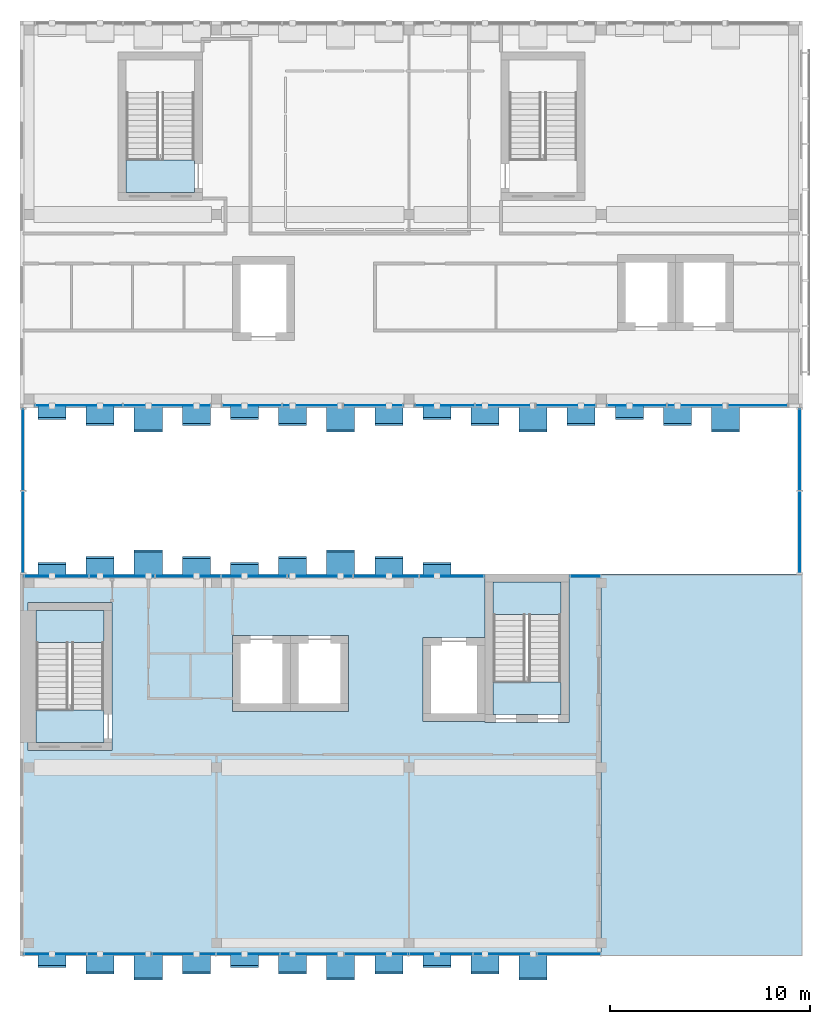
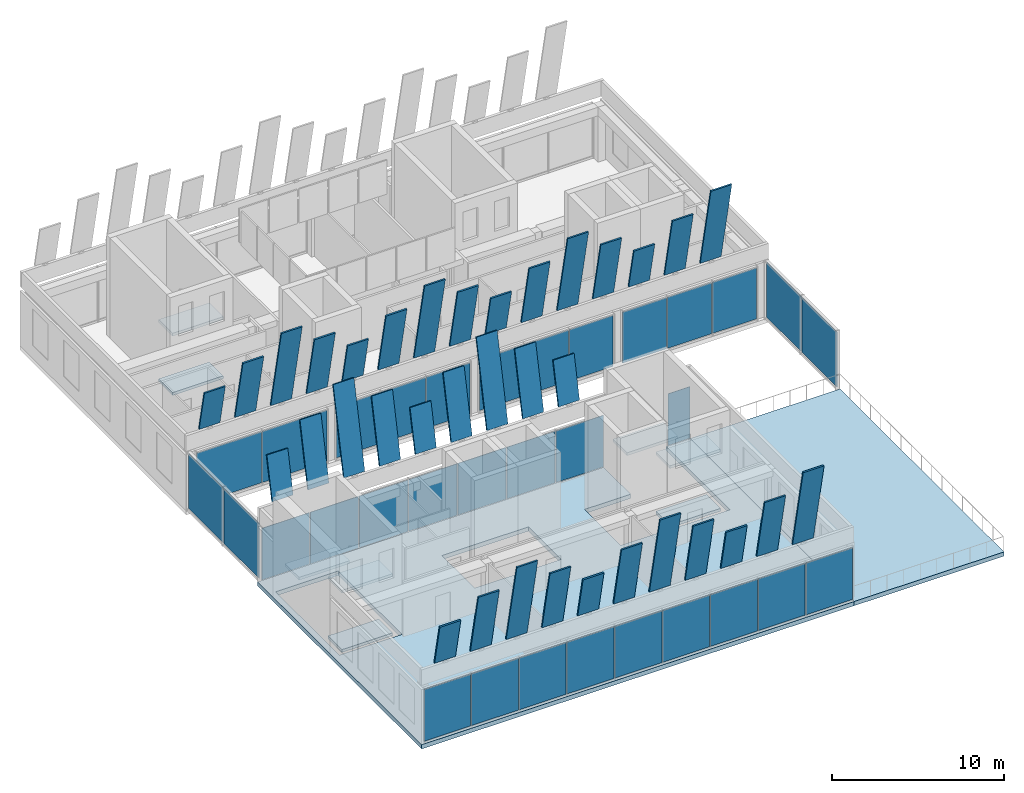
# One storey, part 15 of 26: 67 plates, 10 slabs, 12 elements without a shape of their own.
"""IFC4 building model written with IfcOpenShell, lengths in metres."""

from ifc_helpers import new_model, si_unit, direction, frame, origin, origin_2d, place, context, subcontext, project, spatial, polyline, rectangle, outline, extrude, material, layer, layer_set, material_profile, profile_set, type_object, element, aggregate, save


model = new_model("IFC4")

# Units and contexts
model_context = context("Model", 3, precision=1e-05, world=origin(), true_north=direction((0.0, 1.0)))
body_context = subcontext(model_context, "Body", "Model", "MODEL_VIEW")
ifc_project = project(units=[si_unit("LENGTHUNIT", "METRE"), si_unit("AREAUNIT", "SQUARE_METRE"), si_unit("VOLUMEUNIT", "CUBIC_METRE"), si_unit("PLANEANGLEUNIT", "RADIAN"), si_unit("MASSUNIT", "GRAM", prefix="KILO")], contexts=[model_context])

# Site, building, storey
site_placement = place(None, origin())
site = spatial("IfcSite", under=ifc_project, at=site_placement, CompositionType="ELEMENT")
building_placement = place(site_placement, origin())
building = spatial("IfcBuilding", under=site, at=building_placement, Name="Nzadi Deep Aquarium and Research Tower", CompositionType="ELEMENT")
storey_placement = place(building_placement, frame((0.0, 0.0, 78.10009765625)))
storey = spatial("IfcBuildingStorey", under=building, at=storey_placement, Name="L16", CompositionType="ELEMENT", Elevation=78.10009765625)

# Plates
ifc_material_1 = material(Name="Anodised aluminium, bright", Category="aluminium")
ifc_material_profile_1 = material_profile(ifc_material_1, rectangle(XDim=1.39990234375, YDim=0.10009765625, at=origin_2d()))
ifc_profile_set_1 = profile_set([ifc_material_profile_1], Name="Anodised aluminium, bright")
plate_type_1 = type_object("IfcPlateType", Name="Crown fin anodised aluminium 1400x100, 3.0 m", PredefinedType="SHEET", material=ifc_profile_set_1)
for number, where, z_axis, x_axis, name in (
    (1, (1.39990234375, -0.10009765625, 5.430419921875), (0.0, -0.207855835762, 0.978159471426), (1.0, 0.0, 0.0), "Crown fin AS 1"),
    (2, (11.0, -0.10009765625, 5.430419921875), (0.0, -0.207855835762, 0.978159471426), (1.0, 0.0, 0.0), "Crown fin AS 5"),
    (3, (20.60009765625, -0.10009765625, 5.430419921875), (0.0, -0.207855835762, 0.978159471426), (1.0, 0.0, 0.0), "Crown fin AS 9"),
):
    element("IfcPlate", number, at=place(storey_placement, frame(where, z_axis=z_axis, x_axis=x_axis)), inside=storey, type_object=plate_type_1, Name=name, PredefinedType="SHEET", context=body_context, shape_type="SweptSolid", body=[
        extrude(rectangle(XDim=1.39990234375, YDim=0.10009765625, at=origin_2d()), origin(), (0.0, 0.0, 1.0), 2.999755859375),
    ])
for number, where, z_axis, x_axis, name in (
    (4, (1.39990234375, 18.75, 5.430419921875), (0.0, 0.207933702079, 0.978142921837), (-1.0, 0.0, 0.0), "Crown fin AN 1"),
    (5, (11.0, 18.75, 5.430419921875), (0.0, 0.207933702079, 0.978142921837), (-1.0, 0.0, 0.0), "Crown fin AN 5"),
    (6, (20.60009765625, 18.75, 5.430419921875), (0.0, 0.207933702079, 0.978142921837), (-1.0, 0.0, 0.0), "Crown fin AN 9"),
    (7, (1.39990234375, 27.25, 5.430419921875), (0.0, -0.207933702079, 0.978142921837), (1.0, 0.0, 0.0), "Crown fin BS 1"),
    (8, (11.0, 27.25, 5.430419921875), (0.0, -0.207933702079, 0.978142921837), (1.0, 0.0, 0.0), "Crown fin BS 5"),
    (9, (20.60009765625, 27.25, 5.430419921875), (0.0, -0.207933702079, 0.978142921837), (1.0, 0.0, 0.0), "Crown fin BS 9"),
    (10, (30.199951171875, 27.25, 5.430419921875), (0.0, -0.207933702079, 0.978142921837), (1.0, 0.0, 0.0), "Crown fin BS 13"),
):
    element("IfcPlate", number, at=place(storey_placement, frame(where, z_axis=z_axis, x_axis=x_axis)), inside=storey, type_object=plate_type_1, Name=name, PredefinedType="SHEET", context=body_context, shape_type="SweptSolid", body=[
        extrude(rectangle(XDim=1.39990234375, YDim=0.10009765625, at=origin_2d()), origin(), (0.0, 0.0, 1.0), 3.0),
    ])
ifc_material_2 = material(Name="Anodised aluminium, bright", Category="aluminium")
ifc_material_profile_2 = material_profile(ifc_material_2, rectangle(XDim=1.39990234375, YDim=0.10009765625, at=origin_2d()))
ifc_profile_set_2 = profile_set([ifc_material_profile_2], Name="Anodised aluminium, bright")
plate_type_2 = type_object("IfcPlateType", Name="Crown fin anodised aluminium 1400x100, 4.5 m", PredefinedType="SHEET", material=ifc_profile_set_2)
for number, where, z_axis, x_axis, name in (
    (11, (3.800048828125, -0.10009765625, 5.430419921875), (0.0, -0.20790223038, 0.978149611564), (1.0, 0.0, 0.0), "Crown fin AS 2"),
    (12, (8.60009765625, -0.10009765625, 5.430419921875), (0.0, -0.20790223038, 0.978149611564), (1.0, 0.0, 0.0), "Crown fin AS 4"),
    (13, (13.39990234375, -0.10009765625, 5.430419921875), (0.0, -0.20790223038, 0.978149611564), (1.0, 0.0, 0.0), "Crown fin AS 6"),
    (14, (18.199951171875, -0.10009765625, 5.430419921875), (0.0, -0.20790223038, 0.978149611564), (1.0, 0.0, 0.0), "Crown fin AS 8"),
    (15, (23.0, -0.10009765625, 5.430419921875), (0.0, -0.20790223038, 0.978149611564), (1.0, 0.0, 0.0), "Crown fin AS 10"),
    (16, (3.800048828125, 18.75, 5.430419921875), (0.0, 0.20790223038, 0.978149611564), (-1.0, 0.0, 0.0), "Crown fin AN 2"),
    (17, (8.60009765625, 18.75, 5.430419921875), (0.0, 0.20790223038, 0.978149611564), (-1.0, 0.0, 0.0), "Crown fin AN 4"),
    (18, (13.39990234375, 18.75, 5.430419921875), (0.0, 0.20790223038, 0.978149611564), (-1.0, 0.0, 0.0), "Crown fin AN 6"),
    (19, (18.199951171875, 18.75, 5.430419921875), (0.0, 0.20790223038, 0.978149611564), (-1.0, 0.0, 0.0), "Crown fin AN 8"),
    (20, (3.800048828125, 27.25, 5.430419921875), (0.0, -0.20790223038, 0.978149611564), (1.0, 0.0, 0.0), "Crown fin BS 2"),
    (21, (8.60009765625, 27.25, 5.430419921875), (0.0, -0.20790223038, 0.978149611564), (1.0, 0.0, 0.0), "Crown fin BS 4"),
    (22, (13.39990234375, 27.25, 5.430419921875), (0.0, -0.20790223038, 0.978149611564), (1.0, 0.0, 0.0), "Crown fin BS 6"),
    (23, (18.199951171875, 27.25, 5.430419921875), (0.0, -0.20790223038, 0.978149611564), (1.0, 0.0, 0.0), "Crown fin BS 8"),
    (24, (23.0, 27.25, 5.430419921875), (0.0, -0.20790223038, 0.978149611564), (1.0, 0.0, 0.0), "Crown fin BS 10"),
    (25, (27.800048828125, 27.25, 5.430419921875), (0.0, -0.20790223038, 0.978149611564), (1.0, 0.0, 0.0), "Crown fin BS 12"),
    (26, (32.60009765625, 27.25, 5.430419921875), (0.0, -0.20790223038, 0.978149611564), (1.0, 0.0, 0.0), "Crown fin BS 14"),
):
    element("IfcPlate", number, at=place(storey_placement, frame(where, z_axis=z_axis, x_axis=x_axis)), inside=storey, type_object=plate_type_2, Name=name, PredefinedType="SHEET", context=body_context, shape_type="SweptSolid", body=[
        extrude(rectangle(XDim=1.39990234375, YDim=0.10009765625, at=origin_2d()), origin(), (0.0, 0.0, 1.0), 4.5),
    ])
ifc_material_3 = material(Name="Anodised aluminium, bright", Category="aluminium")
ifc_material_profile_3 = material_profile(ifc_material_3, rectangle(XDim=1.39990234375, YDim=0.10009765625, at=origin_2d()))
ifc_profile_set_3 = profile_set([ifc_material_profile_3], Name="Anodised aluminium, bright")
plate_type_3 = type_object("IfcPlateType", Name="Crown fin anodised aluminium 1400x100, 6.0 m", PredefinedType="SHEET", material=ifc_profile_set_3)
for number, where, z_axis, x_axis, name in (
    (27, (6.199951171875, -0.10009765625, 5.430419921875), (0.0, -0.207886494942, 0.978152955943), (1.0, 0.0, 0.0), "Crown fin AS 3"),
    (28, (15.800048828125, -0.10009765625, 5.430419921875), (0.0, -0.207886494942, 0.978152955943), (1.0, 0.0, 0.0), "Crown fin AS 7"),
    (29, (25.39990234375, -0.10009765625, 5.430419921875), (0.0, -0.207886494942, 0.978152955943), (1.0, 0.0, 0.0), "Crown fin AS 11"),
    (30, (6.199951171875, 18.75, 5.430419921875), (0.0, 0.207925426197, 0.978144681088), (-1.0, 0.0, 0.0), "Crown fin AN 3"),
    (31, (15.800048828125, 18.75, 5.430419921875), (0.0, 0.207925426197, 0.978144681088), (-1.0, 0.0, 0.0), "Crown fin AN 7"),
    (32, (6.199951171875, 27.25, 5.430419921875), (0.0, -0.207925426197, 0.978144681088), (1.0, 0.0, 0.0), "Crown fin BS 3"),
    (33, (15.800048828125, 27.25, 5.430419921875), (0.0, -0.207925426197, 0.978144681088), (1.0, 0.0, 0.0), "Crown fin BS 7"),
    (34, (25.39990234375, 27.25, 5.430419921875), (0.0, -0.207925426197, 0.978144681088), (1.0, 0.0, 0.0), "Crown fin BS 11"),
    (35, (35.0, 27.25, 5.430419921875), (0.0, -0.207925426197, 0.978144681088), (1.0, 0.0, 0.0), "Crown fin BS 15"),
):
    element("IfcPlate", number, at=place(storey_placement, frame(where, z_axis=z_axis, x_axis=x_axis)), inside=storey, type_object=plate_type_3, Name=name, PredefinedType="SHEET", context=body_context, shape_type="SweptSolid", body=[
        extrude(rectangle(XDim=1.39990234375, YDim=0.10009765625, at=origin_2d()), origin(), (0.0, 0.0, 1.0), 6.0),
    ])

# Curtain wall, plates
ifc_material_4 = material(Name="Aluminium unitised frame", Category="aluminium")
ifc_layer_1 = layer(ifc_material_4, 0.199951171875)
ifc_layer_set_1 = layer_set([ifc_layer_1], Name="Aluminium unitised frame")
curtain_wall_type_1 = type_object("IfcCurtainWallType", Name="Curtain wall Unitised 200", PredefinedType="NOTDEFINED", material=ifc_layer_set_1)
curtain_wall_1_placement = place(storey_placement, origin())
curtain_wall_1 = element("IfcCurtainWall", 36, at=curtain_wall_1_placement, inside=storey, type_object=curtain_wall_type_1, Name="Unitised curtain wall blade A south L16", PredefinedType="NOTDEFINED")
ifc_material_5 = material(Name="Glass, sage tint", Category="glass")
ifc_layer_2 = layer(ifc_material_5, 0.035888671875)
ifc_layer_set_2 = layer_set([ifc_layer_2], Name="Glass, sage tint")
plate_type_4 = type_object("IfcPlateType", Name="Glazing panel 36 Unitised", PredefinedType="CURTAIN_PANEL", material=ifc_layer_set_2)
plate_1_placement = place(storey_placement, frame((1.56787109375, -0.10009765625, 0.1201171875), z_axis=(0.0, 0.0, 1.0), x_axis=(1.0, 0.0, 0.0)))
plate_1 = element("IfcPlate", 37, at=plate_1_placement, type_object=plate_type_4, Name="CW075 panel 1.1", PredefinedType="CURTAIN_PANEL", context=body_context, shape_type="SweptSolid", body=[
    extrude(rectangle(XDim=3.115478515625, YDim=0.035888671875, at=origin_2d()), origin(), (0.0, 0.0, 1.0), 3.659912109375),
])
plate_2_placement = place(storey_placement, frame((4.75830078125, -0.10009765625, 0.1201171875), z_axis=(0.0, 0.0, 1.0), x_axis=(1.0, 0.0, 0.0)))
plate_2 = element("IfcPlate", 38, at=plate_2_placement, type_object=plate_type_4, Name="CW075 panel 2.1", PredefinedType="CURTAIN_PANEL", context=body_context, shape_type="SweptSolid", body=[
    extrude(rectangle(XDim=3.1455078125, YDim=0.035888671875, at=origin_2d()), origin(), (0.0, 0.0, 1.0), 3.659912109375),
])
plate_3_placement = place(storey_placement, frame((7.9638671875, -0.10009765625, 0.1201171875), z_axis=(0.0, 0.0, 1.0), x_axis=(1.0, 0.0, 0.0)))
plate_3 = element("IfcPlate", 39, at=plate_3_placement, type_object=plate_type_4, Name="CW075 panel 3.1", PredefinedType="CURTAIN_PANEL", context=body_context, shape_type="SweptSolid", body=[
    extrude(rectangle(XDim=3.1455078125, YDim=0.035888671875, at=origin_2d()), origin(), (0.0, 0.0, 1.0), 3.659912109375),
])
plate_4_placement = place(storey_placement, frame((11.16943359375, -0.10009765625, 0.1201171875), z_axis=(0.0, 0.0, 1.0), x_axis=(1.0, 0.0, 0.0)))
plate_4 = element("IfcPlate", 40, at=plate_4_placement, type_object=plate_type_4, Name="CW075 panel 4.1", PredefinedType="CURTAIN_PANEL", context=body_context, shape_type="SweptSolid", body=[
    extrude(rectangle(XDim=3.1455078125, YDim=0.035888671875, at=origin_2d()), origin(), (0.0, 0.0, 1.0), 3.659912109375),
])
plate_5_placement = place(storey_placement, frame((14.375, -0.10009765625, 0.1201171875), z_axis=(0.0, 0.0, 1.0), x_axis=(1.0, 0.0, 0.0)))
plate_5 = element("IfcPlate", 41, at=plate_5_placement, type_object=plate_type_4, Name="CW075 panel 5.1", PredefinedType="CURTAIN_PANEL", context=body_context, shape_type="SweptSolid", body=[
    extrude(rectangle(XDim=3.1455078125, YDim=0.035888671875, at=origin_2d()), origin(), (0.0, 0.0, 1.0), 3.659912109375),
])
plate_6_placement = place(storey_placement, frame((17.58056640625, -0.10009765625, 0.1201171875), z_axis=(0.0, 0.0, 1.0), x_axis=(1.0, 0.0, 0.0)))
plate_6 = element("IfcPlate", 42, at=plate_6_placement, type_object=plate_type_4, Name="CW075 panel 6.1", PredefinedType="CURTAIN_PANEL", context=body_context, shape_type="SweptSolid", body=[
    extrude(rectangle(XDim=3.1455078125, YDim=0.035888671875, at=origin_2d()), origin(), (0.0, 0.0, 1.0), 3.659912109375),
])
plate_7_placement = place(storey_placement, frame((20.7861328125, -0.10009765625, 0.1201171875), z_axis=(0.0, 0.0, 1.0), x_axis=(1.0, 0.0, 0.0)))
plate_7 = element("IfcPlate", 43, at=plate_7_placement, type_object=plate_type_4, Name="CW075 panel 7.1", PredefinedType="CURTAIN_PANEL", context=body_context, shape_type="SweptSolid", body=[
    extrude(rectangle(XDim=3.1455078125, YDim=0.035888671875, at=origin_2d()), origin(), (0.0, 0.0, 1.0), 3.659912109375),
])
plate_8_placement = place(storey_placement, frame((23.99169921875, -0.10009765625, 0.1201171875), z_axis=(0.0, 0.0, 1.0), x_axis=(1.0, 0.0, 0.0)))
plate_8 = element("IfcPlate", 44, at=plate_8_placement, type_object=plate_type_4, Name="CW075 panel 8.1", PredefinedType="CURTAIN_PANEL", context=body_context, shape_type="SweptSolid", body=[
    extrude(rectangle(XDim=3.1455078125, YDim=0.035888671875, at=origin_2d()), origin(), (0.0, 0.0, 1.0), 3.659912109375),
])
plate_9_placement = place(storey_placement, frame((27.18212890625, -0.10009765625, 0.1201171875), z_axis=(0.0, 0.0, 1.0), x_axis=(1.0, 0.0, 0.0)))
plate_9 = element("IfcPlate", 45, at=plate_9_placement, type_object=plate_type_4, Name="CW075 panel 9.1", PredefinedType="CURTAIN_PANEL", context=body_context, shape_type="SweptSolid", body=[
    extrude(rectangle(XDim=3.115478515625, YDim=0.035888671875, at=origin_2d()), origin(), (0.0, 0.0, 1.0), 3.659912109375),
])
aggregate(curtain_wall_1, [plate_1, plate_2, plate_3, plate_4, plate_5, plate_6, plate_7, plate_8, plate_9])

curtain_wall_2_placement = place(storey_placement, origin())
curtain_wall_2 = element("IfcCurtainWall", 46, at=curtain_wall_2_placement, inside=storey, type_object=curtain_wall_type_1, Name="Unitised curtain wall blade A north L16", PredefinedType="NOTDEFINED")
plate_10_placement = place(storey_placement, frame((1.611328125, 18.75, 0.1201171875), z_axis=(0.0, 0.0, 1.0), x_axis=(1.0, 0.0, 0.0)))
plate_10 = element("IfcPlate", 47, at=plate_10_placement, type_object=plate_type_4, Name="CW076 panel 1.1", PredefinedType="CURTAIN_PANEL", context=body_context, shape_type="SweptSolid", body=[
    extrude(rectangle(XDim=3.202880859375, YDim=0.035888671875, at=origin_2d()), origin(), (0.0, 0.0, 1.0), 3.659912109375),
])
plate_11_placement = place(storey_placement, frame((4.889404296875, 18.75, 0.1201171875), z_axis=(0.0, 0.0, 1.0), x_axis=(1.0, 0.0, 0.0)))
plate_11 = element("IfcPlate", 48, at=plate_11_placement, type_object=plate_type_4, Name="CW076 panel 2.1", PredefinedType="CURTAIN_PANEL", context=body_context, shape_type="SweptSolid", body=[
    extrude(rectangle(XDim=3.23291015625, YDim=0.035888671875, at=origin_2d()), origin(), (0.0, 0.0, 1.0), 3.659912109375),
])
plate_12_placement = place(storey_placement, frame((8.18212890625, 18.75, 0.1201171875), z_axis=(0.0, 0.0, 1.0), x_axis=(1.0, 0.0, 0.0)))
plate_12 = element("IfcPlate", 49, at=plate_12_placement, type_object=plate_type_4, Name="CW076 panel 3.1", PredefinedType="CURTAIN_PANEL", context=body_context, shape_type="SweptSolid", body=[
    extrude(rectangle(XDim=3.23291015625, YDim=0.035888671875, at=origin_2d()), origin(), (0.0, 0.0, 1.0), 3.659912109375),
])
plate_13_placement = place(storey_placement, frame((11.47509765625, 18.75, 0.1201171875), z_axis=(0.0, 0.0, 1.0), x_axis=(1.0, 0.0, 0.0)))
plate_13 = element("IfcPlate", 50, at=plate_13_placement, type_object=plate_type_4, Name="CW076 panel 4.1", PredefinedType="CURTAIN_PANEL", context=body_context, shape_type="SweptSolid", body=[
    extrude(rectangle(XDim=3.23291015625, YDim=0.035888671875, at=origin_2d()), origin(), (0.0, 0.0, 1.0), 3.659912109375),
])
plate_14_placement = place(storey_placement, frame((14.767822265625, 18.75, 0.1201171875), z_axis=(0.0, 0.0, 1.0), x_axis=(1.0, 0.0, 0.0)))
plate_14 = element("IfcPlate", 51, at=plate_14_placement, type_object=plate_type_4, Name="CW076 panel 5.1", PredefinedType="CURTAIN_PANEL", context=body_context, shape_type="SweptSolid", body=[
    extrude(rectangle(XDim=3.23291015625, YDim=0.035888671875, at=origin_2d()), origin(), (0.0, 0.0, 1.0), 3.659912109375),
])
plate_15_placement = place(storey_placement, frame((18.060791015625, 18.75, 0.1201171875), z_axis=(0.0, 0.0, 1.0), x_axis=(1.0, 0.0, 0.0)))
plate_15 = element("IfcPlate", 52, at=plate_15_placement, type_object=plate_type_4, Name="CW076 panel 6.1", PredefinedType="CURTAIN_PANEL", context=body_context, shape_type="SweptSolid", body=[
    extrude(rectangle(XDim=3.23291015625, YDim=0.035888671875, at=origin_2d()), origin(), (0.0, 0.0, 1.0), 3.659912109375),
])
plate_16_placement = place(storey_placement, frame((21.338623046875, 18.75, 0.1201171875), z_axis=(0.0, 0.0, 1.0), x_axis=(1.0, 0.0, 0.0)))
plate_16 = element("IfcPlate", 53, at=plate_16_placement, type_object=plate_type_4, Name="CW076 panel 7.1", PredefinedType="CURTAIN_PANEL", context=body_context, shape_type="SweptSolid", body=[
    extrude(rectangle(XDim=3.202880859375, YDim=0.035888671875, at=origin_2d()), origin(), (0.0, 0.0, 1.0), 3.659912109375),
])
aggregate(curtain_wall_2, [plate_10, plate_11, plate_12, plate_13, plate_14, plate_15, plate_16])

# Curtain wall, plate
curtain_wall_3_placement = place(storey_placement, origin())
curtain_wall_3 = element("IfcCurtainWall", 54, at=curtain_wall_3_placement, inside=storey, type_object=curtain_wall_type_1, Name="Unitised curtain wall blade A north L16", PredefinedType="NOTDEFINED")
plate_17_placement = place(storey_placement, frame((28.0, 18.75, 0.1201171875), z_axis=(0.0, 0.0, 1.0), x_axis=(1.0, 0.0, 0.0)))
plate_17 = element("IfcPlate", 55, at=plate_17_placement, type_object=plate_type_4, Name="CW077 panel 1.1", PredefinedType="CURTAIN_PANEL", context=body_context, shape_type="SweptSolid", body=[
    extrude(rectangle(XDim=1.47998046875, YDim=0.035888671875, at=origin_2d()), origin(), (0.0, 0.0, 1.0), 3.659912109375),
])
aggregate(curtain_wall_3, [plate_17])

# Curtain wall, plates
ifc_material_6 = material(Name="Aluminium unitised frame deep", Category="aluminium")
ifc_layer_3 = layer(ifc_material_6, 0.22509765625)
ifc_layer_set_3 = layer_set([ifc_layer_3], Name="Aluminium unitised frame deep")
curtain_wall_type_2 = type_object("IfcCurtainWallType", Name="Curtain wall Unitised Deep 225", PredefinedType="NOTDEFINED", material=ifc_layer_set_3)
curtain_wall_4_placement = place(storey_placement, origin())
curtain_wall_4 = element("IfcCurtainWall", 56, at=curtain_wall_4_placement, inside=storey, type_object=curtain_wall_type_2, Name="Unitised curtain wall blade B south L16", PredefinedType="NOTDEFINED")
ifc_material_7 = material(Name="Glass, sage tint", Category="glass")
ifc_layer_4 = layer(ifc_material_7, 0.0400390625)
ifc_layer_set_4 = layer_set([ifc_layer_4], Name="Glass, sage tint")
plate_type_5 = type_object("IfcPlateType", Name="Glazing panel 40 Unitised Deep", PredefinedType="CURTAIN_PANEL", material=ifc_layer_set_4)
plate_18_placement = place(storey_placement, frame((2.7275390625, 27.262451171875, 0.139892578125), z_axis=(0.0, 0.0, 1.0), x_axis=(1.0, 0.0, 0.0)))
plate_18 = element("IfcPlate", 57, at=plate_18_placement, type_object=plate_type_5, Name="CW192 panel 1.1", PredefinedType="CURTAIN_PANEL", context=body_context, shape_type="SweptSolid", body=[
    extrude(rectangle(XDim=4.3349609375, YDim=0.0400390625, at=origin_2d()), origin(), (0.0, 0.0, 1.0), 3.6201171875),
])
plate_19_placement = place(storey_placement, frame((7.12255859375, 27.262451171875, 0.139892578125), z_axis=(0.0, 0.0, 1.0), x_axis=(1.0, 0.0, 0.0)))
plate_19 = element("IfcPlate", 58, at=plate_19_placement, type_object=plate_type_5, Name="CW192 panel 2.1", PredefinedType="CURTAIN_PANEL", context=body_context, shape_type="SweptSolid", body=[
    extrude(rectangle(XDim=4.3349609375, YDim=0.0400390625, at=origin_2d()), origin(), (0.0, 0.0, 1.0), 3.6201171875),
])
aggregate(curtain_wall_4, [plate_18, plate_19])

curtain_wall_5_placement = place(storey_placement, origin())
curtain_wall_5 = element("IfcCurtainWall", 59, at=curtain_wall_5_placement, inside=storey, type_object=curtain_wall_type_2, Name="Unitised curtain wall blade B south L16", PredefinedType="NOTDEFINED")
plate_20_placement = place(storey_placement, frame((11.381591796875, 27.262451171875, 0.139892578125), z_axis=(0.0, 0.0, 1.0), x_axis=(1.0, 0.0, 0.0)))
plate_20 = element("IfcPlate", 60, at=plate_20_placement, type_object=plate_type_5, Name="CW193 panel 1.1", PredefinedType="CURTAIN_PANEL", context=body_context, shape_type="SweptSolid", body=[
    extrude(rectangle(XDim=2.943359375, YDim=0.0400390625, at=origin_2d()), origin(), (0.0, 0.0, 1.0), 3.6201171875),
])
plate_21_placement = place(storey_placement, frame((14.39990234375, 27.262451171875, 0.139892578125), z_axis=(0.0, 0.0, 1.0), x_axis=(1.0, 0.0, 0.0)))
plate_21 = element("IfcPlate", 61, at=plate_21_placement, type_object=plate_type_5, Name="CW193 panel 2.1", PredefinedType="CURTAIN_PANEL", context=body_context, shape_type="SweptSolid", body=[
    extrude(rectangle(XDim=2.973388671875, YDim=0.0400390625, at=origin_2d()), origin(), (0.0, 0.0, 1.0), 3.6201171875),
])
plate_22_placement = place(storey_placement, frame((17.418212890625, 27.262451171875, 0.139892578125), z_axis=(0.0, 0.0, 1.0), x_axis=(1.0, 0.0, 0.0)))
plate_22 = element("IfcPlate", 62, at=plate_22_placement, type_object=plate_type_5, Name="CW193 panel 3.1", PredefinedType="CURTAIN_PANEL", context=body_context, shape_type="SweptSolid", body=[
    extrude(rectangle(XDim=2.943359375, YDim=0.0400390625, at=origin_2d()), origin(), (0.0, 0.0, 1.0), 3.6201171875),
])
aggregate(curtain_wall_5, [plate_20, plate_21, plate_22])

curtain_wall_6_placement = place(storey_placement, origin())
curtain_wall_6 = element("IfcCurtainWall", 63, at=curtain_wall_6_placement, inside=storey, type_object=curtain_wall_type_2, Name="Unitised curtain wall blade B south L16", PredefinedType="NOTDEFINED")
plate_23_placement = place(storey_placement, frame((20.981689453125, 27.262451171875, 0.139892578125), z_axis=(0.0, 0.0, 1.0), x_axis=(1.0, 0.0, 0.0)))
plate_23 = element("IfcPlate", 64, at=plate_23_placement, type_object=plate_type_5, Name="CW194 panel 1.1", PredefinedType="CURTAIN_PANEL", context=body_context, shape_type="SweptSolid", body=[
    extrude(rectangle(XDim=2.943359375, YDim=0.0400390625, at=origin_2d()), origin(), (0.0, 0.0, 1.0), 3.6201171875),
])
plate_24_placement = place(storey_placement, frame((24.0, 27.262451171875, 0.139892578125), z_axis=(0.0, 0.0, 1.0), x_axis=(1.0, 0.0, 0.0)))
plate_24 = element("IfcPlate", 65, at=plate_24_placement, type_object=plate_type_5, Name="CW194 panel 2.1", PredefinedType="CURTAIN_PANEL", context=body_context, shape_type="SweptSolid", body=[
    extrude(rectangle(XDim=2.973388671875, YDim=0.0400390625, at=origin_2d()), origin(), (0.0, 0.0, 1.0), 3.6201171875),
])
plate_25_placement = place(storey_placement, frame((27.018310546875, 27.262451171875, 0.139892578125), z_axis=(0.0, 0.0, 1.0), x_axis=(1.0, 0.0, 0.0)))
plate_25 = element("IfcPlate", 66, at=plate_25_placement, type_object=plate_type_5, Name="CW194 panel 3.1", PredefinedType="CURTAIN_PANEL", context=body_context, shape_type="SweptSolid", body=[
    extrude(rectangle(XDim=2.943359375, YDim=0.0400390625, at=origin_2d()), origin(), (0.0, 0.0, 1.0), 3.6201171875),
])
aggregate(curtain_wall_6, [plate_23, plate_24, plate_25])

curtain_wall_7_placement = place(storey_placement, origin())
curtain_wall_7 = element("IfcCurtainWall", 67, at=curtain_wall_7_placement, inside=storey, type_object=curtain_wall_type_2, Name="Unitised curtain wall blade B south L16", PredefinedType="NOTDEFINED")
plate_26_placement = place(storey_placement, frame((30.581787109375, 27.262451171875, 0.139892578125), z_axis=(0.0, 0.0, 1.0), x_axis=(1.0, 0.0, 0.0)))
plate_26 = element("IfcPlate", 68, at=plate_26_placement, type_object=plate_type_5, Name="CW195 panel 1.1", PredefinedType="CURTAIN_PANEL", context=body_context, shape_type="SweptSolid", body=[
    extrude(rectangle(XDim=2.943359375, YDim=0.0400390625, at=origin_2d()), origin(), (0.0, 0.0, 1.0), 3.6201171875),
])
plate_27_placement = place(storey_placement, frame((33.60009765625, 27.262451171875, 0.139892578125), z_axis=(0.0, 0.0, 1.0), x_axis=(1.0, 0.0, 0.0)))
plate_27 = element("IfcPlate", 69, at=plate_27_placement, type_object=plate_type_5, Name="CW195 panel 2.1", PredefinedType="CURTAIN_PANEL", context=body_context, shape_type="SweptSolid", body=[
    extrude(rectangle(XDim=2.973388671875, YDim=0.0400390625, at=origin_2d()), origin(), (0.0, 0.0, 1.0), 3.6201171875),
])
plate_28_placement = place(storey_placement, frame((36.618408203125, 27.262451171875, 0.139892578125), z_axis=(0.0, 0.0, 1.0), x_axis=(1.0, 0.0, 0.0)))
plate_28 = element("IfcPlate", 70, at=plate_28_placement, type_object=plate_type_5, Name="CW195 panel 3.1", PredefinedType="CURTAIN_PANEL", context=body_context, shape_type="SweptSolid", body=[
    extrude(rectangle(XDim=2.943359375, YDim=0.0400390625, at=origin_2d()), origin(), (0.0, 0.0, 1.0), 3.6201171875),
])
aggregate(curtain_wall_7, [plate_26, plate_27, plate_28])

ifc_material_8 = material(Name="Aluminium unitised frame wind post", Category="aluminium")
ifc_layer_5 = layer(ifc_material_8, 0.300048828125)
ifc_layer_set_5 = layer_set([ifc_layer_5], Name="Aluminium unitised frame wind post")
curtain_wall_type_3 = type_object("IfcCurtainWallType", Name="Curtain wall Slot End 300", PredefinedType="NOTDEFINED", material=ifc_layer_set_5)
curtain_wall_8_placement = place(storey_placement, origin())
curtain_wall_8 = element("IfcCurtainWall", 71, at=curtain_wall_8_placement, inside=storey, type_object=curtain_wall_type_3, Name="Glazed slot end west L16", PredefinedType="NOTDEFINED")
ifc_material_9 = material(Name="Glass, sage tint", Category="glass")
ifc_layer_6 = layer(ifc_material_9, 0.0439453125)
ifc_layer_set_6 = layer_set([ifc_layer_6], Name="Glass, sage tint")
plate_type_6 = type_object("IfcPlateType", Name="Glazing panel 44 Slot End", PredefinedType="CURTAIN_PANEL", material=ifc_layer_set_6)
plate_29_placement = place(storey_placement, frame((-0.050048828125, 20.93994140625, 0.159912109375), z_axis=(0.0, 0.0, 1.0), x_axis=(0.0, 1.0, 0.0)))
plate_29 = element("IfcPlate", 72, at=plate_29_placement, type_object=plate_type_6, Name="CW223 panel 1.1", PredefinedType="CURTAIN_PANEL", context=body_context, shape_type="SweptSolid", body=[
    extrude(rectangle(XDim=4.06005859375, YDim=0.0439453125, at=origin_2d()), origin(), (0.0, 0.0, 1.0), 3.8798828125),
])
plate_30_placement = place(storey_placement, frame((-0.050048828125, 25.06005859375, 0.159912109375), z_axis=(0.0, 0.0, 1.0), x_axis=(0.0, 1.0, 0.0)))
plate_30 = element("IfcPlate", 73, at=plate_30_placement, type_object=plate_type_6, Name="CW223 panel 2.1", PredefinedType="CURTAIN_PANEL", context=body_context, shape_type="SweptSolid", body=[
    extrude(rectangle(XDim=4.06005859375, YDim=0.0439453125, at=origin_2d()), origin(), (0.0, 0.0, 1.0), 3.8798828125),
])
aggregate(curtain_wall_8, [plate_29, plate_30])

curtain_wall_9_placement = place(storey_placement, origin())
curtain_wall_9 = element("IfcCurtainWall", 74, at=curtain_wall_9_placement, inside=storey, type_object=curtain_wall_type_3, Name="Glazed slot end east L16", PredefinedType="NOTDEFINED")
plate_31_placement = place(storey_placement, frame((38.699951171875, 20.93994140625, 0.159912109375), z_axis=(0.0, 0.0, 1.0), x_axis=(0.0, 1.0, 0.0)))
plate_31 = element("IfcPlate", 75, at=plate_31_placement, type_object=plate_type_6, Name="CW224 panel 1.1", PredefinedType="CURTAIN_PANEL", context=body_context, shape_type="SweptSolid", body=[
    extrude(rectangle(XDim=4.06005859375, YDim=0.0439453125, at=origin_2d()), origin(), (0.0, 0.0, 1.0), 3.8798828125),
])
plate_32_placement = place(storey_placement, frame((38.699951171875, 25.06005859375, 0.159912109375), z_axis=(0.0, 0.0, 1.0), x_axis=(0.0, 1.0, 0.0)))
plate_32 = element("IfcPlate", 76, at=plate_32_placement, type_object=plate_type_6, Name="CW224 panel 2.1", PredefinedType="CURTAIN_PANEL", context=body_context, shape_type="SweptSolid", body=[
    extrude(rectangle(XDim=4.06005859375, YDim=0.0439453125, at=origin_2d()), origin(), (0.0, 0.0, 1.0), 3.8798828125),
])
aggregate(curtain_wall_9, [plate_31, plate_32])

# Stair, slabs
ifc_material_10 = material(Name="Concrete C35/45", Category="concrete")
stair_type = type_object("IfcStairType", Name="STAIR RETURN 3000", PredefinedType="NOTDEFINED", material=ifc_material_10)
stair_1_placement = place(storey_placement, origin())
stair_1 = element("IfcStair", 77, at=stair_1_placement, inside=storey, type_object=stair_type, Name="Stair ST-Z1-SW L16", PredefinedType="HALF_TURN_STAIR")
ifc_material_11 = material(Name="Concrete C35/45", Category="concrete")
ifc_layer_7 = layer(ifc_material_11, 0.199951171875)
ifc_layer_set_7 = layer_set([ifc_layer_7], Name="Concrete C35/45")
slab_type_1 = type_object("IfcSlabType", Name="LANDING 200", PredefinedType="LANDING", material=ifc_layer_set_7)
slab_1_placement = place(storey_placement, frame((0.0, 0.0, -0.2001953125)))
slab_1 = element("IfcSlab", 78, at=slab_1_placement, type_object=slab_type_1, Name="ST-Z1-SW landing 1", PredefinedType="LANDING", context=body_context, shape_type="SweptSolid", body=[
    extrude(outline(polyline([(0.60009765625, 10.449951171875), (4.0, 10.449951171875), (4.0, 12.070068359375), (0.60009765625, 12.070068359375), (0.60009765625, 10.449951171875)])), origin(), (0.0, 0.0, 1.0), 0.2001953125),
])
slab_2_placement = place(storey_placement, frame((0.0, 0.0, 1.89990234375)))
slab_2 = element("IfcSlab", 79, at=slab_2_placement, type_object=slab_type_1, Name="ST-Z1-SW landing 2", PredefinedType="LANDING", context=body_context, shape_type="SweptSolid", body=[
    extrude(outline(polyline([(0.60009765625, 15.429931640625), (4.0, 15.429931640625), (4.0, 17.050048828125), (0.60009765625, 17.050048828125), (0.60009765625, 15.429931640625)])), origin(), (0.0, 0.0, 1.0), 0.199951171875),
])
slab_3_placement = place(storey_placement, frame((0.0, 0.0, 4.0)))
slab_3 = element("IfcSlab", 80, at=slab_3_placement, type_object=slab_type_1, Name="ST-Z1-SW landing 3", PredefinedType="LANDING", context=body_context, shape_type="SweptSolid", body=[
    extrude(outline(polyline([(0.60009765625, 10.449951171875), (4.0, 10.449951171875), (4.0, 12.070068359375), (0.60009765625, 12.070068359375), (0.60009765625, 10.449951171875)])), origin(), (0.0, 0.0, 1.0), 0.199951171875),
])
aggregate(stair_1, [slab_1, slab_2, slab_3])

stair_2_placement = place(storey_placement, origin())
stair_2 = element("IfcStair", 81, at=stair_2_placement, inside=storey, type_object=stair_type, Name="Stair ST-Z1-SE L16", PredefinedType="HALF_TURN_STAIR")
slab_4_placement = place(storey_placement, frame((0.0, 0.0, -0.2001953125)))
slab_4 = element("IfcSlab", 82, at=slab_4_placement, type_object=slab_type_1, Name="ST-Z1-SE landing 1", PredefinedType="LANDING", context=body_context, shape_type="SweptSolid", body=[
    extrude(outline(polyline([(23.39990234375, 11.85009765625), (26.800048828125, 11.85009765625), (26.800048828125, 13.469970703125), (23.39990234375, 13.469970703125), (23.39990234375, 11.85009765625)])), origin(), (0.0, 0.0, 1.0), 0.2001953125),
])
slab_5_placement = place(storey_placement, frame((0.0, 0.0, 1.89990234375)))
slab_5 = element("IfcSlab", 83, at=slab_5_placement, type_object=slab_type_1, Name="ST-Z1-SE landing 2", PredefinedType="LANDING", context=body_context, shape_type="SweptSolid", body=[
    extrude(outline(polyline([(23.39990234375, 16.830078125), (26.800048828125, 16.830078125), (26.800048828125, 18.449951171875), (23.39990234375, 18.449951171875), (23.39990234375, 16.830078125)])), origin(), (0.0, 0.0, 1.0), 0.199951171875),
])
slab_6_placement = place(storey_placement, frame((0.0, 0.0, 4.0)))
slab_6 = element("IfcSlab", 84, at=slab_6_placement, type_object=slab_type_1, Name="ST-Z1-SE landing 3", PredefinedType="LANDING", context=body_context, shape_type="SweptSolid", body=[
    extrude(outline(polyline([(23.39990234375, 11.85009765625), (26.800048828125, 11.85009765625), (26.800048828125, 13.469970703125), (23.39990234375, 13.469970703125), (23.39990234375, 11.85009765625)])), origin(), (0.0, 0.0, 1.0), 0.199951171875),
])
aggregate(stair_2, [slab_4, slab_5, slab_6])

stair_3_placement = place(storey_placement, origin())
stair_3 = element("IfcStair", 85, at=stair_3_placement, inside=storey, type_object=stair_type, Name="Stair ST-Z1-NW L16", PredefinedType="HALF_TURN_STAIR")
slab_7_placement = place(storey_placement, frame((0.0, 0.0, -0.2001953125)))
slab_7 = element("IfcSlab", 86, at=slab_7_placement, type_object=slab_type_1, Name="ST-Z1-NW landing 1", PredefinedType="LANDING", context=body_context, shape_type="SweptSolid", body=[
    extrude(outline(polyline([(5.10009765625, 37.89990234375), (8.5, 37.89990234375), (8.5, 39.52001953125), (5.10009765625, 39.52001953125), (5.10009765625, 37.89990234375)])), origin(), (0.0, 0.0, 1.0), 0.2001953125),
])
slab_8_placement = place(storey_placement, frame((0.0, 0.0, 4.0)))
slab_8 = element("IfcSlab", 87, at=slab_8_placement, type_object=slab_type_1, Name="ST-Z1-NW landing 3", PredefinedType="LANDING", context=body_context, shape_type="SweptSolid", body=[
    extrude(outline(polyline([(5.10009765625, 37.89990234375), (8.5, 37.89990234375), (8.5, 39.52001953125), (5.10009765625, 39.52001953125), (5.10009765625, 37.89990234375)])), origin(), (0.0, 0.0, 1.0), 0.199951171875),
])
aggregate(stair_3, [slab_7, slab_8])

# Slabs
ifc_material_12 = material(Name="Concrete C35/45", Category="concrete")
ifc_layer_8 = layer(ifc_material_12, 0.300048828125)
ifc_layer_set_8 = layer_set([ifc_layer_8], Name="Concrete C35/45")
slab_type_2 = type_object("IfcSlabType", Name="RC floor slab 300", PredefinedType="FLOOR", material=ifc_layer_set_8)
slab_9_placement = place(storey_placement, frame((0.0, 0.0, -0.300048828125)))
element("IfcSlab", 88, at=slab_9_placement, inside=storey, type_object=slab_type_2, Name="Tower floor A L16", PredefinedType="FLOOR", context=body_context, shape_type="SweptSolid", body=[
    extrude(outline(polyline([(27.199951171875, 11.449951171875), (23.0, 11.449951171875), (23.0, 11.5), (19.89990234375, 11.5), (19.89990234375, 15.699951171875), (23.0, 15.699951171875), (23.0, 18.85009765625), (-0.199462890625, 18.85009765625), (-0.199462890625, -0.199951171875), (28.800048828125, -0.199951171875), (28.800048828125, 18.85009765625), (27.199951171875, 18.85009765625), (27.199951171875, 11.449951171875)]), holes=[polyline([(4.39990234375, 17.449951171875), (4.39990234375, 10.050048828125), (0.199951171875, 10.050048828125), (0.199951171875, 17.449951171875), (4.39990234375, 17.449951171875)]), polyline([(10.39990234375, 12.0), (10.39990234375, 15.800048828125), (13.300048828125, 15.800048828125), (16.199951171875, 15.800048828125), (16.199951171875, 12.0), (13.300048828125, 12.0), (10.39990234375, 12.0)])]), origin(), (0.0, 0.0, 1.0), 0.300048828125),
])
ifc_material_13 = material(Name="Concrete C35/45", Category="concrete")
ifc_layer_9 = layer(ifc_material_13, 0.300048828125)
ifc_layer_set_9 = layer_set([ifc_layer_9], Name="Concrete C35/45")
slab_type_3 = type_object("IfcSlabType", Name="RC roof slab 300", PredefinedType="ROOF", material=ifc_layer_set_9)
slab_10_placement = place(storey_placement, frame((0.0, 0.0, -0.300048828125)))
element("IfcSlab", 89, at=slab_10_placement, inside=storey, type_object=slab_type_3, Name="Terrace A L16", PredefinedType="ROOF", context=body_context, shape_type="SweptSolid", body=[
    extrude(outline(polyline([(38.85009765625, -0.199951171875), (38.85009765625, 18.85009765625), (28.800048828125, 18.85009765625), (28.800048828125, -0.199951171875), (38.85009765625, -0.199951171875)])), origin(), (0.0, 0.0, 1.0), 0.300048828125),
])

save(model, "model.ifc")
